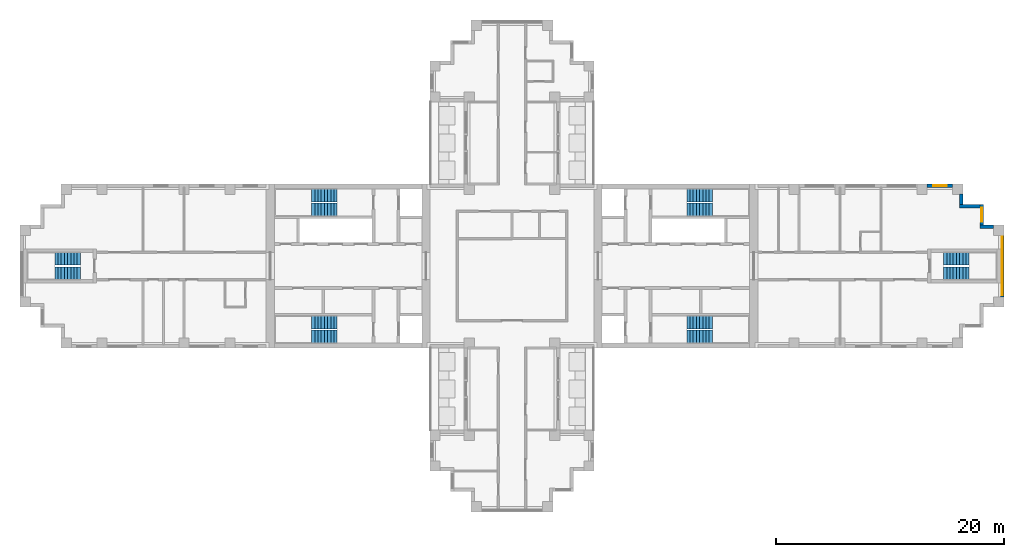
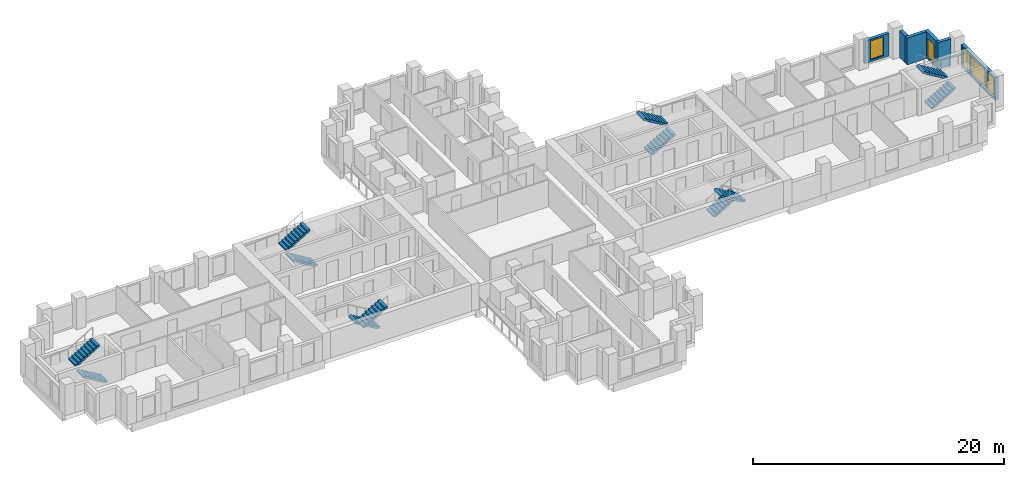
# One storey, part 9 of 11: 12 stair flights, 6 walls, 5 windows, 5 openings, 6 elements without a shape of their own.
"""IFC4 building model written with IfcOpenShell, lengths in metres."""

from ifc_helpers import new_model, si_unit, direction, frame, frame_2d, origin, place, context, subcontext, project, spatial, polyline, rectangle, outline, extrude, material, layer, layer_set, type_object, element, fill, aggregate, save


model = new_model("IFC4")

# Units and contexts
model_context = context("Model", 3, precision=1e-05, world=origin(), true_north=direction((0.0, 1.0)))
body_context = subcontext(model_context, "Body", "Model", "MODEL_VIEW")
ifc_project = project(units=[si_unit("LENGTHUNIT", "METRE"), si_unit("AREAUNIT", "SQUARE_METRE"), si_unit("VOLUMEUNIT", "CUBIC_METRE"), si_unit("PLANEANGLEUNIT", "RADIAN"), si_unit("MASSUNIT", "GRAM", prefix="KILO")], contexts=[model_context])

# Site, building, storey
site_placement = place(None, origin())
site = spatial("IfcSite", under=ifc_project, at=site_placement, CompositionType="ELEMENT")
building_placement = place(site_placement, origin())
building = spatial("IfcBuilding", under=site, at=building_placement, Name="Fustian Cross Tower", CompositionType="ELEMENT")
storey_placement = place(building_placement, frame((0.0, 0.0, 144.300048828125)))
storey = spatial("IfcBuildingStorey", under=building, at=storey_placement, Name="L45", CompositionType="ELEMENT", Elevation=144.300048828125)

# Wall, openings, windows
ifc_material_1 = material(Name="Dark aluminium cladding on insulated backing wall", Category="aluminium")
ifc_layer = layer(ifc_material_1, 0.300048828125)
ifc_layer_set = layer_set([ifc_layer], Name="Dark aluminium cladding on insulated backing wall")
wall_type = type_object("IfcWallType", Name="XW1 EXTERNAL WALL 300", PredefinedType="SOLIDWALL", material=ifc_layer_set)
wall_1_placement = place(storey_placement, frame((43.050048828125, -2.699951171875, 0.0), z_axis=(0.0, 0.0, 1.0), x_axis=(0.0, 1.0, 0.0)))
wall_1 = element("IfcWall", 1, at=wall_1_placement, inside=storey, type_object=wall_type, Name="External wall", PredefinedType="SOLIDWALL", context=body_context, shape_type="SweptSolid", body=[
    extrude(rectangle(XDim=5.39990234375, YDim=0.300048828125, at=frame_2d((2.699951171875, 0.0))), origin(), (0.0, 0.0, 1.0), 2.199951171875),
])
opening_1_placement = place(wall_1_placement, frame((1.5, 0.0, 0.199951171875)))
opening_1 = element("IfcOpeningElement", 2, at=opening_1_placement, cuts=wall_1, Name="Opening WN1", PredefinedType="OPENING", context=body_context, shape_type="SweptSolid", body=[
    extrude(rectangle(XDim=2.39990234375, YDim=1.85009765625, at=frame_2d((1.199951171875, 0.925048828125))), frame((0.0, 0.159912109375, 0.0), z_axis=(0.0, -1.0, 0.0), x_axis=(1.0, 0.0, 0.0)), (0.0, 0.0, 1.0), 0.320068359375),
])
opening_2_placement = place(wall_1_placement, frame((0.14990234375, 0.0, 0.199951171875)))
opening_2 = element("IfcOpeningElement", 3, at=opening_2_placement, cuts=wall_1, Name="Opening WN3", PredefinedType="OPENING", context=body_context, shape_type="SweptSolid", body=[
    extrude(rectangle(XDim=1.199951171875, YDim=1.85009765625, at=frame_2d((0.60009765625, 0.925048828125))), frame((0.0, 0.159912109375, 0.0), z_axis=(0.0, -1.0, 0.0), x_axis=(1.0, 0.0, 0.0)), (0.0, 0.0, 1.0), 0.320068359375),
])
opening_3_placement = place(wall_1_placement, frame((4.050048828125, 0.0, 0.199951171875)))
opening_3 = element("IfcOpeningElement", 4, at=opening_3_placement, cuts=wall_1, Name="Opening WN3", PredefinedType="OPENING", context=body_context, shape_type="SweptSolid", body=[
    extrude(rectangle(XDim=1.199951171875, YDim=1.85009765625, at=frame_2d((0.60009765625, 0.925048828125))), frame((0.0, 0.159912109375, 0.0), z_axis=(0.0, -1.0, 0.0), x_axis=(1.0, 0.0, 0.0)), (0.0, 0.0, 1.0), 0.320068359375),
])
ifc_material_2 = material(Name="Dark anodised aluminium and double glazing", Category="aluminium")
window_type_1 = type_object("IfcWindowType", Name="WN1 WINDOW 2400X1850", PartitioningType="SINGLE_PANEL", PredefinedType="WINDOW", material=ifc_material_2)
window_1_placement = place(opening_1_placement, origin())
window_1 = element("IfcWindow", 5, at=window_1_placement, inside=storey, type_object=window_type_1, Name="Window", OverallHeight=1.85009765625, OverallWidth=2.39990234375, PartitioningType="SINGLE_PANEL", PredefinedType="WINDOW", context=body_context, shape_type="SweptSolid", body=[
    extrude(rectangle(XDim=2.39990234375, YDim=1.85009765625, at=frame_2d((1.199951171875, 0.925048828125))), frame((0.0, 0.030029296875, 0.0), z_axis=(0.0, -1.0, 0.0), x_axis=(1.0, 0.0, 0.0)), (0.0, 0.0, 1.0), 0.06005859375),
])
fill(opening_1, window_1)
ifc_material_3 = material(Name="Dark anodised aluminium and double glazing", Category="aluminium")
window_type_2 = type_object("IfcWindowType", Name="WN3 WINDOW 1200X1850", PartitioningType="SINGLE_PANEL", PredefinedType="WINDOW", material=ifc_material_3)
window_2_placement = place(opening_2_placement, origin())
window_2 = element("IfcWindow", 6, at=window_2_placement, inside=storey, type_object=window_type_2, Name="Window", OverallHeight=1.85009765625, OverallWidth=1.199951171875, PartitioningType="SINGLE_PANEL", PredefinedType="WINDOW", context=body_context, shape_type="SweptSolid", body=[
    extrude(rectangle(XDim=1.199951171875, YDim=1.85009765625, at=frame_2d((0.60009765625, 0.925048828125))), frame((0.0, 0.030029296875, 0.0), z_axis=(0.0, -1.0, 0.0), x_axis=(1.0, 0.0, 0.0)), (0.0, 0.0, 1.0), 0.06005859375),
])
fill(opening_2, window_2)
window_3_placement = place(opening_3_placement, origin())
window_3 = element("IfcWindow", 7, at=window_3_placement, inside=storey, type_object=window_type_2, Name="Window", OverallHeight=1.85009765625, OverallWidth=1.199951171875, PartitioningType="SINGLE_PANEL", PredefinedType="WINDOW", context=body_context, shape_type="SweptSolid", body=[
    extrude(rectangle(XDim=1.199951171875, YDim=1.85009765625, at=frame_2d((0.60009765625, 0.925048828125))), frame((0.0, 0.030029296875, 0.0), z_axis=(0.0, -1.0, 0.0), x_axis=(1.0, 0.0, 0.0)), (0.0, 0.0, 1.0), 0.06005859375),
])
fill(opening_3, window_3)

# Wall
wall_2_placement = place(storey_placement, frame((42.300048828125, 3.449951171875, 0.0), z_axis=(0.0, 0.0, 1.0), x_axis=(-1.0, 0.0, 0.0)))
element("IfcWall", 8, at=wall_2_placement, inside=storey, type_object=wall_type, Name="External wall", PredefinedType="SOLIDWALL", context=body_context, shape_type="SweptSolid", body=[
    extrude(rectangle(XDim=1.199951171875, YDim=0.300048828125, at=frame_2d((0.60009765625, 0.0))), origin(), (0.0, 0.0, 1.0), 2.599853515625),
])

# Wall, opening, window
wall_3_placement = place(storey_placement, frame((41.25, 3.60009765625, 0.0), z_axis=(0.0, 0.0, 1.0), x_axis=(0.0, 1.0, 0.0)))
wall_3 = element("IfcWall", 9, at=wall_3_placement, inside=storey, type_object=wall_type, Name="External wall", PredefinedType="SOLIDWALL", context=body_context, shape_type="SweptSolid", body=[
    extrude(rectangle(XDim=1.7998046875, YDim=0.300048828125, at=frame_2d((0.89990234375, 0.0))), origin(), (0.0, 0.0, 1.0), 2.599853515625),
])
opening_4_placement = place(wall_3_placement, frame((0.300048828125, 0.0, 0.199951171875)))
opening_4 = element("IfcOpeningElement", 10, at=opening_4_placement, cuts=wall_3, Name="Opening WN3", PredefinedType="OPENING", context=body_context, shape_type="SweptSolid", body=[
    extrude(rectangle(XDim=1.199951171875, YDim=1.85009765625, at=frame_2d((0.60009765625, 0.925048828125))), frame((0.0, 0.159912109375, 0.0), z_axis=(0.0, -1.0, 0.0), x_axis=(1.0, 0.0, 0.0)), (0.0, 0.0, 1.0), 0.320068359375),
])
window_4_placement = place(opening_4_placement, origin())
window_4 = element("IfcWindow", 11, at=window_4_placement, inside=storey, type_object=window_type_2, Name="Window", OverallHeight=1.85009765625, OverallWidth=1.199951171875, PartitioningType="SINGLE_PANEL", PredefinedType="WINDOW", context=body_context, shape_type="SweptSolid", body=[
    extrude(rectangle(XDim=1.199951171875, YDim=1.85009765625, at=frame_2d((0.60009765625, 0.925048828125))), frame((0.0, 0.030029296875, 0.0), z_axis=(0.0, -1.0, 0.0), x_axis=(1.0, 0.0, 0.0)), (0.0, 0.0, 1.0), 0.06005859375),
])
fill(opening_4, window_4)

# Walls
wall_4_placement = place(storey_placement, frame((41.10009765625, 5.25, 0.0), z_axis=(0.0, 0.0, 1.0), x_axis=(-1.0, 0.0, 0.0)))
element("IfcWall", 12, at=wall_4_placement, inside=storey, type_object=wall_type, Name="External wall", PredefinedType="SOLIDWALL", context=body_context, shape_type="SweptSolid", body=[
    extrude(rectangle(XDim=1.800048828125, YDim=0.300048828125, at=frame_2d((0.89990234375, 0.0))), origin(), (0.0, 0.0, 1.0), 2.599853515625),
])
wall_5_placement = place(storey_placement, frame((39.449951171875, 5.39990234375, 0.0), z_axis=(0.0, 0.0, 1.0), x_axis=(0.0, 1.0, 0.0)))
element("IfcWall", 13, at=wall_5_placement, inside=storey, type_object=wall_type, Name="External wall", PredefinedType="SOLIDWALL", context=body_context, shape_type="SweptSolid", body=[
    extrude(rectangle(XDim=0.900146484375, YDim=0.300048828125, at=frame_2d((0.4501953125, 0.0))), origin(), (0.0, 0.0, 1.0), 2.599853515625),
])

# Wall, opening, window
wall_6_placement = place(storey_placement, frame((38.699951171875, 7.050048828125, 0.0), z_axis=(0.0, 0.0, 1.0), x_axis=(-1.0, 0.0, 0.0)))
wall_6 = element("IfcWall", 14, at=wall_6_placement, inside=storey, type_object=wall_type, Name="External wall", PredefinedType="SOLIDWALL", context=body_context, shape_type="SweptSolid", body=[
    extrude(rectangle(XDim=2.25, YDim=0.300048828125, at=frame_2d((1.125, 0.0))), origin(), (0.0, 0.0, 1.0), 2.199951171875),
])
opening_5_placement = place(wall_6_placement, frame((0.52490234375, 0.0, 0.199951171875)))
opening_5 = element("IfcOpeningElement", 15, at=opening_5_placement, cuts=wall_6, Name="Opening WN3", PredefinedType="OPENING", context=body_context, shape_type="SweptSolid", body=[
    extrude(rectangle(XDim=1.199951171875, YDim=1.85009765625, at=frame_2d((0.60009765625, 0.925048828125))), frame((0.0, 0.159912109375, 0.0), z_axis=(0.0, -1.0, 0.0), x_axis=(1.0, 0.0, 0.0)), (0.0, 0.0, 1.0), 0.320068359375),
])
window_5_placement = place(opening_5_placement, origin())
window_5 = element("IfcWindow", 16, at=window_5_placement, inside=storey, type_object=window_type_2, Name="Window", OverallHeight=1.85009765625, OverallWidth=1.199951171875, PartitioningType="SINGLE_PANEL", PredefinedType="WINDOW", context=body_context, shape_type="SweptSolid", body=[
    extrude(rectangle(XDim=1.199951171875, YDim=1.85009765625, at=frame_2d((0.60009765625, 0.925048828125))), frame((0.0, 0.030029296875, 0.0), z_axis=(0.0, -1.0, 0.0), x_axis=(1.0, 0.0, 0.0)), (0.0, 0.0, 1.0), 0.06005859375),
])
fill(opening_5, window_5)

# Stair, stair flights
ifc_material_4 = material(Name="Concrete C50/60", Category="concrete")
stair_type_1 = type_object("IfcStairType", Name="STAIR 1100 HALF TURN", PredefinedType="HALF_TURN_STAIR", material=ifc_material_4)
stair_1_placement = place(storey_placement, origin())
stair_1 = element("IfcStair", 17, at=stair_1_placement, inside=storey, type_object=stair_type_1, Name="Stair ST8", PredefinedType="HALF_TURN_STAIR")
ifc_material_5 = material(Name="Concrete C50/60", Category="concrete")
stair_flight_type_1 = type_object("IfcStairFlightType", Name="STAIR FLIGHT 1100", PredefinedType="STRAIGHT", material=ifc_material_5)
stair_flight_1_placement = place(storey_placement, frame((37.89990234375, -0.64990234375, 0.0), z_axis=(0.0, 0.0, 1.0), x_axis=(1.0, 0.0, 0.0)))
stair_flight_1 = element("IfcStairFlight", 18, at=stair_flight_1_placement, type_object=stair_flight_type_1, Name="ST8 flight 1", NumberOfRisers=9, NumberOfTreads=8, PredefinedType="STRAIGHT", RiserHeight=0.166666667, TreadLength=0.28, context=body_context, shape_type="SweptSolid", body=[
    extrude(outline(polyline([(0.0, 0.0), (0.0, 0.166748046875), (0.280029296875, 0.166748046875), (0.280029296875, 0.333251953125), (0.56005859375, 0.333251953125), (0.56005859375, 0.5), (0.840087890625, 0.5), (0.840087890625, 0.666748046875), (1.1201171875, 0.666748046875), (1.1201171875, 0.833251953125), (1.39990234375, 0.833251953125), (1.39990234375, 1.0), (1.679931640625, 1.0), (1.679931640625, 1.166748046875), (1.9599609375, 1.166748046875), (1.9599609375, 1.333251953125), (2.239990234375, 1.333251953125), (2.239990234375, 1.5), (2.239990234375, 1.158935546875), (0.29296875, 0.0), (0.0, 0.0)])), frame((0.0, 0.550048828125, 0.0), z_axis=(0.0, -1.0, 0.0), x_axis=(1.0, 0.0, 0.0)), (0.0, 0.0, 1.0), 1.10009765625),
])
stair_flight_2_placement = place(storey_placement, frame((40.139892578125, 0.64990234375, 1.5), z_axis=(0.0, 0.0, 1.0), x_axis=(-1.0, 0.0, 0.0)))
stair_flight_2 = element("IfcStairFlight", 19, at=stair_flight_2_placement, type_object=stair_flight_type_1, Name="ST8 flight 2", NumberOfRisers=9, NumberOfTreads=8, PredefinedType="STRAIGHT", RiserHeight=0.166666667, TreadLength=0.28, context=body_context, shape_type="SweptSolid", body=[
    extrude(outline(polyline([(0.0, 0.0), (0.0, 0.166748046875), (0.280029296875, 0.166748046875), (0.280029296875, 0.333251953125), (0.56005859375, 0.333251953125), (0.56005859375, 0.5), (0.840087890625, 0.5), (0.840087890625, 0.666748046875), (1.1201171875, 0.666748046875), (1.1201171875, 0.833251953125), (1.39990234375, 0.833251953125), (1.39990234375, 1.0), (1.679931640625, 1.0), (1.679931640625, 1.166748046875), (1.9599609375, 1.166748046875), (1.9599609375, 1.333251953125), (2.239990234375, 1.333251953125), (2.239990234375, 1.5), (2.239990234375, 1.158935546875), (0.29296875, 0.0), (0.0, 0.0)])), frame((0.0, 0.550048828125, 0.0), z_axis=(0.0, -1.0, 0.0), x_axis=(1.0, 0.0, 0.0)), (0.0, 0.0, 1.0), 1.10009765625),
])
aggregate(stair_1, [stair_flight_1, stair_flight_2])

stair_2_placement = place(storey_placement, origin())
stair_2 = element("IfcStair", 20, at=stair_2_placement, inside=storey, type_object=stair_type_1, Name="Stair ST9", PredefinedType="HALF_TURN_STAIR")
stair_flight_3_placement = place(storey_placement, frame((-37.89990234375, -0.64990234375, 0.0), z_axis=(0.0, 0.0, 1.0), x_axis=(-1.0, 0.0, 0.0)))
stair_flight_3 = element("IfcStairFlight", 21, at=stair_flight_3_placement, type_object=stair_flight_type_1, Name="ST9 flight 1", NumberOfRisers=9, NumberOfTreads=8, PredefinedType="STRAIGHT", RiserHeight=0.166666667, TreadLength=0.28, context=body_context, shape_type="SweptSolid", body=[
    extrude(outline(polyline([(0.0, 0.0), (0.0, 0.166748046875), (0.280029296875, 0.166748046875), (0.280029296875, 0.333251953125), (0.56005859375, 0.333251953125), (0.56005859375, 0.5), (0.840087890625, 0.5), (0.840087890625, 0.666748046875), (1.1201171875, 0.666748046875), (1.1201171875, 0.833251953125), (1.39990234375, 0.833251953125), (1.39990234375, 1.0), (1.679931640625, 1.0), (1.679931640625, 1.166748046875), (1.9599609375, 1.166748046875), (1.9599609375, 1.333251953125), (2.239990234375, 1.333251953125), (2.239990234375, 1.5), (2.239990234375, 1.158935546875), (0.29296875, 0.0), (0.0, 0.0)])), frame((0.0, 0.550048828125, 0.0), z_axis=(0.0, -1.0, 0.0), x_axis=(1.0, 0.0, 0.0)), (0.0, 0.0, 1.0), 1.10009765625),
])
stair_flight_4_placement = place(storey_placement, frame((-40.139892578125, 0.64990234375, 1.5), z_axis=(0.0, 0.0, 1.0), x_axis=(1.0, 0.0, 0.0)))
stair_flight_4 = element("IfcStairFlight", 22, at=stair_flight_4_placement, type_object=stair_flight_type_1, Name="ST9 flight 2", NumberOfRisers=9, NumberOfTreads=8, PredefinedType="STRAIGHT", RiserHeight=0.166666667, TreadLength=0.28, context=body_context, shape_type="SweptSolid", body=[
    extrude(outline(polyline([(0.0, 0.0), (0.0, 0.166748046875), (0.280029296875, 0.166748046875), (0.280029296875, 0.333251953125), (0.56005859375, 0.333251953125), (0.56005859375, 0.5), (0.840087890625, 0.5), (0.840087890625, 0.666748046875), (1.1201171875, 0.666748046875), (1.1201171875, 0.833251953125), (1.39990234375, 0.833251953125), (1.39990234375, 1.0), (1.679931640625, 1.0), (1.679931640625, 1.166748046875), (1.9599609375, 1.166748046875), (1.9599609375, 1.333251953125), (2.239990234375, 1.333251953125), (2.239990234375, 1.5), (2.239990234375, 1.158935546875), (0.29296875, 0.0), (0.0, 0.0)])), frame((0.0, 0.550048828125, 0.0), z_axis=(0.0, -1.0, 0.0), x_axis=(1.0, 0.0, 0.0)), (0.0, 0.0, 1.0), 1.10009765625),
])
aggregate(stair_2, [stair_flight_3, stair_flight_4])

ifc_material_6 = material(Name="Concrete C50/60", Category="concrete")
stair_type_2 = type_object("IfcStairType", Name="STAIR 1150 HALF TURN", PredefinedType="HALF_TURN_STAIR", material=ifc_material_6)
stair_3_placement = place(storey_placement, origin())
stair_3 = element("IfcStair", 23, at=stair_3_placement, inside=storey, type_object=stair_type_2, Name="Stair ST1", PredefinedType="HALF_TURN_STAIR")
ifc_material_7 = material(Name="Concrete C50/60", Category="concrete")
stair_flight_type_2 = type_object("IfcStairFlightType", Name="STAIR FLIGHT 1150", PredefinedType="STRAIGHT", material=ifc_material_7)
stair_flight_5_placement = place(storey_placement, frame((15.35009765625, 4.97509765625, 0.0), z_axis=(0.0, 0.0, 1.0), x_axis=(1.0, 0.0, 0.0)))
stair_flight_5 = element("IfcStairFlight", 24, at=stair_flight_5_placement, type_object=stair_flight_type_2, Name="ST1 flight 1", NumberOfRisers=9, NumberOfTreads=8, PredefinedType="STRAIGHT", RiserHeight=0.166666667, TreadLength=0.28, context=body_context, shape_type="SweptSolid", body=[
    extrude(outline(polyline([(0.0, 0.0), (0.0, 0.166748046875), (0.280029296875, 0.166748046875), (0.280029296875, 0.333251953125), (0.56005859375, 0.333251953125), (0.56005859375, 0.5), (0.840087890625, 0.5), (0.840087890625, 0.666748046875), (1.1201171875, 0.666748046875), (1.1201171875, 0.833251953125), (1.39990234375, 0.833251953125), (1.39990234375, 1.0), (1.679931640625, 1.0), (1.679931640625, 1.166748046875), (1.9599609375, 1.166748046875), (1.9599609375, 1.333251953125), (2.239990234375, 1.333251953125), (2.239990234375, 1.5), (2.239990234375, 1.158935546875), (0.29296875, 0.0), (0.0, 0.0)])), frame((0.0, 0.574951171875, 0.0), z_axis=(0.0, -1.0, 0.0), x_axis=(1.0, 0.0, 0.0)), (0.0, 0.0, 1.0), 1.14990234375),
])
stair_flight_6_placement = place(storey_placement, frame((17.590087890625, 6.175048828125, 1.5), z_axis=(0.0, 0.0, 1.0), x_axis=(-1.0, 0.0, 0.0)))
stair_flight_6 = element("IfcStairFlight", 25, at=stair_flight_6_placement, type_object=stair_flight_type_2, Name="ST1 flight 2", NumberOfRisers=9, NumberOfTreads=8, PredefinedType="STRAIGHT", RiserHeight=0.166666667, TreadLength=0.28, context=body_context, shape_type="SweptSolid", body=[
    extrude(outline(polyline([(0.0, 0.0), (0.0, 0.166748046875), (0.280029296875, 0.166748046875), (0.280029296875, 0.333251953125), (0.56005859375, 0.333251953125), (0.56005859375, 0.5), (0.840087890625, 0.5), (0.840087890625, 0.666748046875), (1.1201171875, 0.666748046875), (1.1201171875, 0.833251953125), (1.39990234375, 0.833251953125), (1.39990234375, 1.0), (1.679931640625, 1.0), (1.679931640625, 1.166748046875), (1.9599609375, 1.166748046875), (1.9599609375, 1.333251953125), (2.239990234375, 1.333251953125), (2.239990234375, 1.5), (2.239990234375, 1.158935546875), (0.29296875, 0.0), (0.0, 0.0)])), frame((0.0, 0.574951171875, 0.0), z_axis=(0.0, -1.0, 0.0), x_axis=(1.0, 0.0, 0.0)), (0.0, 0.0, 1.0), 1.14990234375),
])
aggregate(stair_3, [stair_flight_5, stair_flight_6])

stair_4_placement = place(storey_placement, origin())
stair_4 = element("IfcStair", 26, at=stair_4_placement, inside=storey, type_object=stair_type_2, Name="Stair ST2", PredefinedType="HALF_TURN_STAIR")
stair_flight_7_placement = place(storey_placement, frame((15.35009765625, -4.97509765625, 0.0), z_axis=(0.0, 0.0, 1.0), x_axis=(1.0, 0.0, 0.0)))
stair_flight_7 = element("IfcStairFlight", 27, at=stair_flight_7_placement, type_object=stair_flight_type_2, Name="ST2 flight 1", NumberOfRisers=9, NumberOfTreads=8, PredefinedType="STRAIGHT", RiserHeight=0.166666667, TreadLength=0.28, context=body_context, shape_type="SweptSolid", body=[
    extrude(outline(polyline([(0.0, 0.0), (0.0, 0.166748046875), (0.280029296875, 0.166748046875), (0.280029296875, 0.333251953125), (0.56005859375, 0.333251953125), (0.56005859375, 0.5), (0.840087890625, 0.5), (0.840087890625, 0.666748046875), (1.1201171875, 0.666748046875), (1.1201171875, 0.833251953125), (1.39990234375, 0.833251953125), (1.39990234375, 1.0), (1.679931640625, 1.0), (1.679931640625, 1.166748046875), (1.9599609375, 1.166748046875), (1.9599609375, 1.333251953125), (2.239990234375, 1.333251953125), (2.239990234375, 1.5), (2.239990234375, 1.158935546875), (0.29296875, 0.0), (0.0, 0.0)])), frame((0.0, 0.574951171875, 0.0), z_axis=(0.0, -1.0, 0.0), x_axis=(1.0, 0.0, 0.0)), (0.0, 0.0, 1.0), 1.14990234375),
])
stair_flight_8_placement = place(storey_placement, frame((17.590087890625, -6.175048828125, 1.5), z_axis=(0.0, 0.0, 1.0), x_axis=(-1.0, 0.0, 0.0)))
stair_flight_8 = element("IfcStairFlight", 28, at=stair_flight_8_placement, type_object=stair_flight_type_2, Name="ST2 flight 2", NumberOfRisers=9, NumberOfTreads=8, PredefinedType="STRAIGHT", RiserHeight=0.166666667, TreadLength=0.28, context=body_context, shape_type="SweptSolid", body=[
    extrude(outline(polyline([(0.0, 0.0), (0.0, 0.166748046875), (0.280029296875, 0.166748046875), (0.280029296875, 0.333251953125), (0.56005859375, 0.333251953125), (0.56005859375, 0.5), (0.840087890625, 0.5), (0.840087890625, 0.666748046875), (1.1201171875, 0.666748046875), (1.1201171875, 0.833251953125), (1.39990234375, 0.833251953125), (1.39990234375, 1.0), (1.679931640625, 1.0), (1.679931640625, 1.166748046875), (1.9599609375, 1.166748046875), (1.9599609375, 1.333251953125), (2.239990234375, 1.333251953125), (2.239990234375, 1.5), (2.239990234375, 1.158935546875), (0.29296875, 0.0), (0.0, 0.0)])), frame((0.0, 0.574951171875, 0.0), z_axis=(0.0, -1.0, 0.0), x_axis=(1.0, 0.0, 0.0)), (0.0, 0.0, 1.0), 1.14990234375),
])
aggregate(stair_4, [stair_flight_7, stair_flight_8])

stair_5_placement = place(storey_placement, origin())
stair_5 = element("IfcStair", 29, at=stair_5_placement, inside=storey, type_object=stair_type_2, Name="Stair ST3", PredefinedType="HALF_TURN_STAIR")
stair_flight_9_placement = place(storey_placement, frame((-15.35009765625, 4.97509765625, 0.0), z_axis=(0.0, 0.0, 1.0), x_axis=(-1.0, 0.0, 0.0)))
stair_flight_9 = element("IfcStairFlight", 30, at=stair_flight_9_placement, type_object=stair_flight_type_2, Name="ST3 flight 1", NumberOfRisers=9, NumberOfTreads=8, PredefinedType="STRAIGHT", RiserHeight=0.166666667, TreadLength=0.28, context=body_context, shape_type="SweptSolid", body=[
    extrude(outline(polyline([(0.0, 0.0), (0.0, 0.166748046875), (0.280029296875, 0.166748046875), (0.280029296875, 0.333251953125), (0.56005859375, 0.333251953125), (0.56005859375, 0.5), (0.840087890625, 0.5), (0.840087890625, 0.666748046875), (1.1201171875, 0.666748046875), (1.1201171875, 0.833251953125), (1.39990234375, 0.833251953125), (1.39990234375, 1.0), (1.679931640625, 1.0), (1.679931640625, 1.166748046875), (1.9599609375, 1.166748046875), (1.9599609375, 1.333251953125), (2.239990234375, 1.333251953125), (2.239990234375, 1.5), (2.239990234375, 1.158935546875), (0.29296875, 0.0), (0.0, 0.0)])), frame((0.0, 0.574951171875, 0.0), z_axis=(0.0, -1.0, 0.0), x_axis=(1.0, 0.0, 0.0)), (0.0, 0.0, 1.0), 1.14990234375),
])
stair_flight_10_placement = place(storey_placement, frame((-17.590087890625, 6.175048828125, 1.5), z_axis=(0.0, 0.0, 1.0), x_axis=(1.0, 0.0, 0.0)))
stair_flight_10 = element("IfcStairFlight", 31, at=stair_flight_10_placement, type_object=stair_flight_type_2, Name="ST3 flight 2", NumberOfRisers=9, NumberOfTreads=8, PredefinedType="STRAIGHT", RiserHeight=0.166666667, TreadLength=0.28, context=body_context, shape_type="SweptSolid", body=[
    extrude(outline(polyline([(0.0, 0.0), (0.0, 0.166748046875), (0.280029296875, 0.166748046875), (0.280029296875, 0.333251953125), (0.56005859375, 0.333251953125), (0.56005859375, 0.5), (0.840087890625, 0.5), (0.840087890625, 0.666748046875), (1.1201171875, 0.666748046875), (1.1201171875, 0.833251953125), (1.39990234375, 0.833251953125), (1.39990234375, 1.0), (1.679931640625, 1.0), (1.679931640625, 1.166748046875), (1.9599609375, 1.166748046875), (1.9599609375, 1.333251953125), (2.239990234375, 1.333251953125), (2.239990234375, 1.5), (2.239990234375, 1.158935546875), (0.29296875, 0.0), (0.0, 0.0)])), frame((0.0, 0.574951171875, 0.0), z_axis=(0.0, -1.0, 0.0), x_axis=(1.0, 0.0, 0.0)), (0.0, 0.0, 1.0), 1.14990234375),
])
aggregate(stair_5, [stair_flight_9, stair_flight_10])

stair_6_placement = place(storey_placement, origin())
stair_6 = element("IfcStair", 32, at=stair_6_placement, inside=storey, type_object=stair_type_2, Name="Stair ST4", PredefinedType="HALF_TURN_STAIR")
stair_flight_11_placement = place(storey_placement, frame((-15.35009765625, -4.97509765625, 0.0), z_axis=(0.0, 0.0, 1.0), x_axis=(-1.0, 0.0, 0.0)))
stair_flight_11 = element("IfcStairFlight", 33, at=stair_flight_11_placement, type_object=stair_flight_type_2, Name="ST4 flight 1", NumberOfRisers=9, NumberOfTreads=8, PredefinedType="STRAIGHT", RiserHeight=0.166666667, TreadLength=0.28, context=body_context, shape_type="SweptSolid", body=[
    extrude(outline(polyline([(0.0, 0.0), (0.0, 0.166748046875), (0.280029296875, 0.166748046875), (0.280029296875, 0.333251953125), (0.56005859375, 0.333251953125), (0.56005859375, 0.5), (0.840087890625, 0.5), (0.840087890625, 0.666748046875), (1.1201171875, 0.666748046875), (1.1201171875, 0.833251953125), (1.39990234375, 0.833251953125), (1.39990234375, 1.0), (1.679931640625, 1.0), (1.679931640625, 1.166748046875), (1.9599609375, 1.166748046875), (1.9599609375, 1.333251953125), (2.239990234375, 1.333251953125), (2.239990234375, 1.5), (2.239990234375, 1.158935546875), (0.29296875, 0.0), (0.0, 0.0)])), frame((0.0, 0.574951171875, 0.0), z_axis=(0.0, -1.0, 0.0), x_axis=(1.0, 0.0, 0.0)), (0.0, 0.0, 1.0), 1.14990234375),
])
stair_flight_12_placement = place(storey_placement, frame((-17.590087890625, -6.175048828125, 1.5), z_axis=(0.0, 0.0, 1.0), x_axis=(1.0, 0.0, 0.0)))
stair_flight_12 = element("IfcStairFlight", 34, at=stair_flight_12_placement, type_object=stair_flight_type_2, Name="ST4 flight 2", NumberOfRisers=9, NumberOfTreads=8, PredefinedType="STRAIGHT", RiserHeight=0.166666667, TreadLength=0.28, context=body_context, shape_type="SweptSolid", body=[
    extrude(outline(polyline([(0.0, 0.0), (0.0, 0.166748046875), (0.280029296875, 0.166748046875), (0.280029296875, 0.333251953125), (0.56005859375, 0.333251953125), (0.56005859375, 0.5), (0.840087890625, 0.5), (0.840087890625, 0.666748046875), (1.1201171875, 0.666748046875), (1.1201171875, 0.833251953125), (1.39990234375, 0.833251953125), (1.39990234375, 1.0), (1.679931640625, 1.0), (1.679931640625, 1.166748046875), (1.9599609375, 1.166748046875), (1.9599609375, 1.333251953125), (2.239990234375, 1.333251953125), (2.239990234375, 1.5), (2.239990234375, 1.158935546875), (0.29296875, 0.0), (0.0, 0.0)])), frame((0.0, 0.574951171875, 0.0), z_axis=(0.0, -1.0, 0.0), x_axis=(1.0, 0.0, 0.0)), (0.0, 0.0, 1.0), 1.14990234375),
])
aggregate(stair_6, [stair_flight_11, stair_flight_12])

save(model, "model.ifc")
